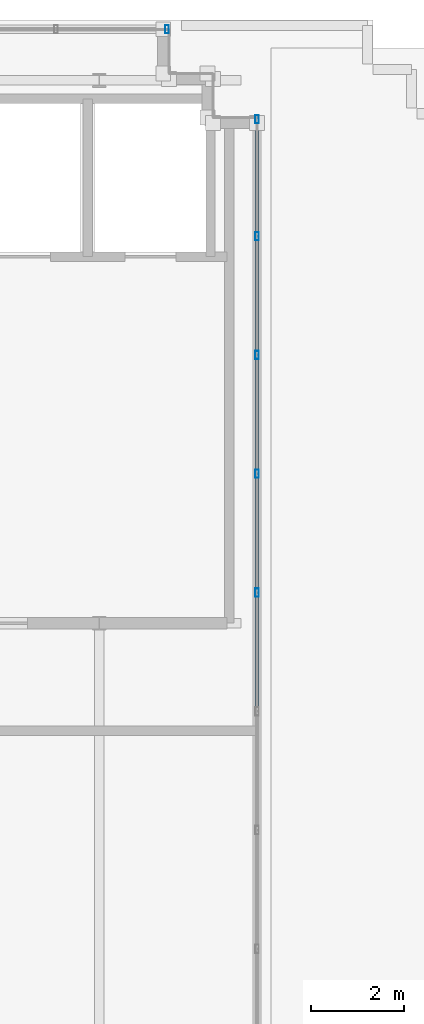
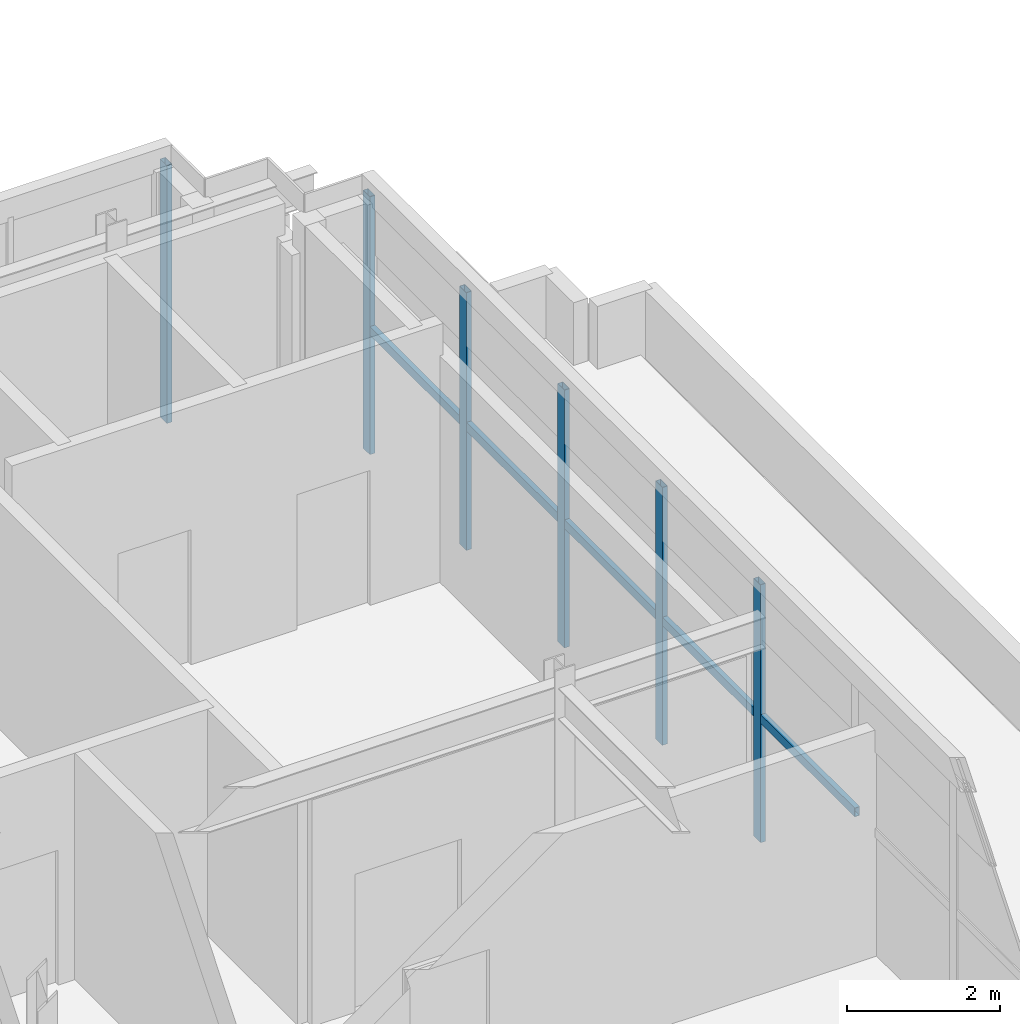
# One storey, part 12 of 28: 11 members, 2 elements without a shape of their own.
"""IFC4 building model written with IfcOpenShell, lengths in metres."""

from ifc_helpers import new_model, si_unit, direction, frame, origin, origin_2d, place, context, subcontext, project, spatial, hollow_rectangle, extrude, source, transform, mapped, material, material_profile, profile_set, type_object, element, aggregate, save


model = new_model("IFC4")

# Units and contexts
model_context = context("Model", 3, precision=1e-05, world=origin(), true_north=direction((0.0, 1.0)))
body_context = subcontext(model_context, "Body", "Model", "MODEL_VIEW")
ifc_project = project(units=[si_unit("LENGTHUNIT", "METRE"), si_unit("AREAUNIT", "SQUARE_METRE"), si_unit("VOLUMEUNIT", "CUBIC_METRE"), si_unit("PLANEANGLEUNIT", "RADIAN"), si_unit("MASSUNIT", "GRAM", prefix="KILO")], contexts=[model_context])

# Site, building, storey
site_placement = place(None, origin())
site = spatial("IfcSite", under=ifc_project, at=site_placement, CompositionType="ELEMENT")
building_placement = place(site_placement, origin())
building = spatial("IfcBuilding", under=site, at=building_placement, Name="Trelvane Seafront Commons", CompositionType="ELEMENT")
storey_placement = place(building_placement, frame((0.0, 0.0, 312.300048828125)))
storey = spatial("IfcBuildingStorey", under=building, at=storey_placement, Name="L81", CompositionType="ELEMENT", Elevation=312.300048828125)

# Curtain wall, member
ifc_material = material(Name="Anodised pale-silver aluminium", Category="aluminium")
curtain_wall_type = type_object("IfcCurtainWallType", Name="ARCH-CW6-CROWN", PredefinedType="NOTDEFINED", material=ifc_material)
curtain_wall_1_placement = place(storey_placement, origin())
curtain_wall_1 = element("IfcCurtainWall", 1, at=curtain_wall_1_placement, inside=storey, type_object=curtain_wall_type, Name="CW-L81-0145", PredefinedType="NOTDEFINED")
ifc_material_profile_1 = material_profile(ifc_material, hollow_rectangle(XDim=0.080078125, YDim=0.179931640625, WallThickness=0.00439453125, at=origin_2d()), Name="MULL-80x180x4.5")
ifc_profile_set_1 = profile_set([ifc_material_profile_1], Name="Anodised pale-silver aluminium")
member_type_1 = type_object("IfcMemberType", Name="ARCH-CW-MULL-180", PredefinedType="MULLION", material=ifc_profile_set_1)
shared_shape_1 = source(origin(), body_context, "Body", "SweptSolid", [
    extrude(hollow_rectangle(XDim=0.080078125, YDim=0.179931640625, WallThickness=0.00439453125, at=origin_2d()), origin(), (0.0, 0.0, 1.0), 4.10986328125),
])
member_1_placement = place(storey_placement, frame((24.860107421875, 46.199951171875, 0.0), z_axis=(0.0, 0.0, 1.0), x_axis=(1.0, 0.0, 0.0)))
member_1 = element("IfcMember", 2, at=member_1_placement, type_object=member_type_1, Name="CW-L81-0145-M06", PredefinedType="MULLION", context=body_context, shape_type="MappedRepresentation", body=[
    mapped(shared_shape_1, transform((0.0, 0.0, 0.0), x_axis=(1.0, 0.0, 0.0), y_axis=(0.0, 1.0, 0.0), z_axis=(0.0, 0.0, 1.0), scale=1.0)),
])
aggregate(curtain_wall_1, [member_1])

# Curtain wall, members
curtain_wall_2_placement = place(storey_placement, origin())
curtain_wall_2 = element("IfcCurtainWall", 3, at=curtain_wall_2_placement, inside=storey, type_object=curtain_wall_type, Name="CW-L81-0146", PredefinedType="NOTDEFINED")
member_2_placement = place(storey_placement, frame((26.800048828125, 44.260009765625, 0.0), z_axis=(0.0, 0.0, 1.0), x_axis=(1.0, 0.0, 0.0)))
member_2 = element("IfcMember", 4, at=member_2_placement, type_object=member_type_1, Name="CW-L81-0146-M00", PredefinedType="MULLION", context=body_context, shape_type="MappedRepresentation", body=[
    mapped(shared_shape_1, transform((0.0, 0.0, 0.0), x_axis=(1.0, 0.0, 0.0), y_axis=(0.0, 1.0, 0.0), z_axis=(0.0, 0.0, 1.0), scale=1.0)),
])
member_3_placement = place(storey_placement, frame((26.800048828125, 41.739990234375, 0.0), z_axis=(0.0, 0.0, 1.0), x_axis=(1.0, 0.0, 0.0)))
member_3 = element("IfcMember", 5, at=member_3_placement, type_object=member_type_1, Name="CW-L81-0146-M01", PredefinedType="MULLION", context=body_context, shape_type="MappedRepresentation", body=[
    mapped(shared_shape_1, transform((0.0, 0.0, 0.0), x_axis=(1.0, 0.0, 0.0), y_axis=(0.0, 1.0, 0.0), z_axis=(0.0, 0.0, 1.0), scale=1.0)),
])
member_4_placement = place(storey_placement, frame((26.800048828125, 39.179931640625, 0.0), z_axis=(0.0, 0.0, 1.0), x_axis=(1.0, 0.0, 0.0)))
member_4 = element("IfcMember", 6, at=member_4_placement, type_object=member_type_1, Name="CW-L81-0146-M02", PredefinedType="MULLION", context=body_context, shape_type="MappedRepresentation", body=[
    mapped(shared_shape_1, transform((0.0, 0.0, 0.0), x_axis=(1.0, 0.0, 0.0), y_axis=(0.0, 1.0, 0.0), z_axis=(0.0, 0.0, 1.0), scale=1.0)),
])
member_5_placement = place(storey_placement, frame((26.800048828125, 36.6201171875, 0.0), z_axis=(0.0, 0.0, 1.0), x_axis=(1.0, 0.0, 0.0)))
member_5 = element("IfcMember", 7, at=member_5_placement, type_object=member_type_1, Name="CW-L81-0146-M03", PredefinedType="MULLION", context=body_context, shape_type="MappedRepresentation", body=[
    mapped(shared_shape_1, transform((0.0, 0.0, 0.0), x_axis=(1.0, 0.0, 0.0), y_axis=(0.0, 1.0, 0.0), z_axis=(0.0, 0.0, 1.0), scale=1.0)),
])
member_6_placement = place(storey_placement, frame((26.800048828125, 34.06005859375, 0.0), z_axis=(0.0, 0.0, 1.0), x_axis=(1.0, 0.0, 0.0)))
member_6 = element("IfcMember", 8, at=member_6_placement, type_object=member_type_1, Name="CW-L81-0146-M04", PredefinedType="MULLION", context=body_context, shape_type="MappedRepresentation", body=[
    mapped(shared_shape_1, transform((0.0, 0.0, 0.0), x_axis=(1.0, 0.0, 0.0), y_axis=(0.0, 1.0, 0.0), z_axis=(0.0, 0.0, 1.0), scale=1.0)),
])
ifc_material_profile_2 = material_profile(ifc_material, hollow_rectangle(XDim=0.074951171875, YDim=0.139892578125, WallThickness=0.00390625, at=origin_2d()), Name="TRAN-75x140x4")
ifc_profile_set_2 = profile_set([ifc_material_profile_2], Name="Anodised pale-silver aluminium")
member_type_2 = type_object("IfcMemberType", Name="ARCH-CW-TRAN-140", PredefinedType="USERDEFINED", material=ifc_profile_set_2)
shared_shape_2 = source(origin(), body_context, "Body", "SweptSolid", [
    extrude(hollow_rectangle(XDim=0.074951171875, YDim=0.139892578125, WallThickness=0.00390625, at=origin_2d()), origin(), (0.0, 0.0, 1.0), 2.5361328125),
])
member_7_placement = place(storey_placement, frame((26.800048828125, 44.2880859375, 1.972900390625), z_axis=(0.0, -1.0, 0.0), x_axis=(1.0, 0.0, 0.0)))
member_7 = element("IfcMember", 9, at=member_7_placement, type_object=member_type_2, Name="CW-L81-0146-T00", ObjectType="TRANSOM", PredefinedType="USERDEFINED", context=body_context, shape_type="MappedRepresentation", body=[
    mapped(shared_shape_2, transform((0.0, 0.0, 0.0), x_axis=(1.0, 0.0, 0.0), y_axis=(0.0, 1.0, 0.0), z_axis=(0.0, 0.0, 1.0), scale=1.0)),
])
member_8_placement = place(storey_placement, frame((26.800048828125, 41.72802734375, 1.972900390625), z_axis=(0.0, -1.0, 0.0), x_axis=(1.0, 0.0, 0.0)))
member_8 = element("IfcMember", 10, at=member_8_placement, type_object=member_type_2, Name="CW-L81-0146-T01", ObjectType="TRANSOM", PredefinedType="USERDEFINED", context=body_context, shape_type="MappedRepresentation", body=[
    mapped(shared_shape_2, transform((0.0, 0.0, 0.0), x_axis=(1.0, 0.0, 0.0), y_axis=(0.0, 1.0, 0.0), z_axis=(0.0, 0.0, 1.0), scale=1.0)),
])
member_9_placement = place(storey_placement, frame((26.800048828125, 34.048095703125, 1.972900390625), z_axis=(0.0, -1.0, 0.0), x_axis=(1.0, 0.0, 0.0)))
member_9 = element("IfcMember", 11, at=member_9_placement, type_object=member_type_2, Name="CW-L81-0146-T04", ObjectType="TRANSOM", PredefinedType="USERDEFINED", context=body_context, shape_type="MappedRepresentation", body=[
    mapped(shared_shape_2, transform((0.0, 0.0, 0.0), x_axis=(1.0, 0.0, 0.0), y_axis=(0.0, 1.0, 0.0), z_axis=(0.0, 0.0, 1.0), scale=1.0)),
])
shared_shape_3 = source(origin(), body_context, "Body", "SweptSolid", [
    extrude(hollow_rectangle(XDim=0.074951171875, YDim=0.139892578125, WallThickness=0.00390625, at=origin_2d()), origin(), (0.0, 0.0, 1.0), 2.535888671875),
])
member_10_placement = place(storey_placement, frame((26.800048828125, 39.16796875, 1.972900390625), z_axis=(0.0, -1.0, 0.0), x_axis=(1.0, 0.0, 0.0)))
member_10 = element("IfcMember", 12, at=member_10_placement, type_object=member_type_2, Name="CW-L81-0146-T02", ObjectType="TRANSOM", PredefinedType="USERDEFINED", context=body_context, shape_type="MappedRepresentation", body=[
    mapped(shared_shape_3, transform((0.0, 0.0, 0.0), x_axis=(1.0, 0.0, 0.0), y_axis=(0.0, 1.0, 0.0), z_axis=(0.0, 0.0, 1.0), scale=1.0)),
])
member_11_placement = place(storey_placement, frame((26.800048828125, 36.60791015625, 1.972900390625), z_axis=(0.0, -1.0, 0.0), x_axis=(1.0, 0.0, 0.0)))
member_11 = element("IfcMember", 13, at=member_11_placement, type_object=member_type_2, Name="CW-L81-0146-T03", ObjectType="TRANSOM", PredefinedType="USERDEFINED", context=body_context, shape_type="MappedRepresentation", body=[
    mapped(shared_shape_3, transform((0.0, 0.0, 0.0), x_axis=(1.0, 0.0, 0.0), y_axis=(0.0, 1.0, 0.0), z_axis=(0.0, 0.0, 1.0), scale=1.0)),
])
aggregate(curtain_wall_2, [member_2, member_3, member_4, member_5, member_6, member_7, member_8, member_10, member_11, member_9])

save(model, "model.ifc")
